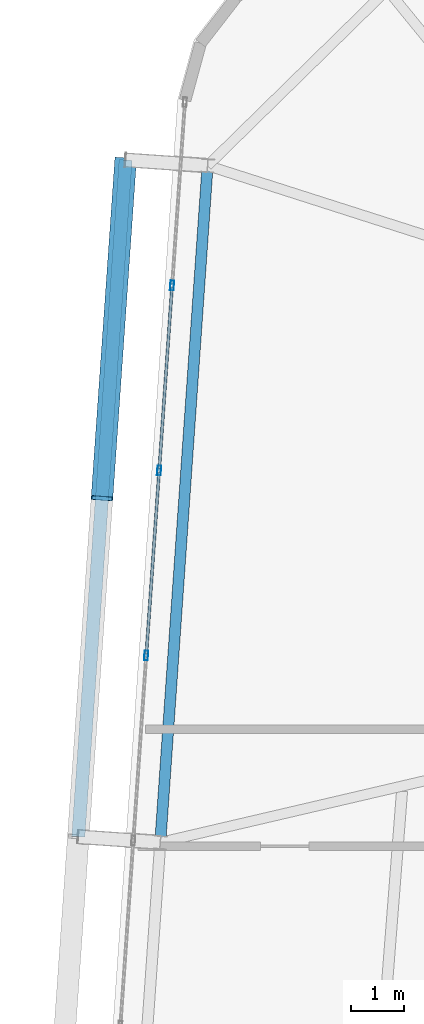
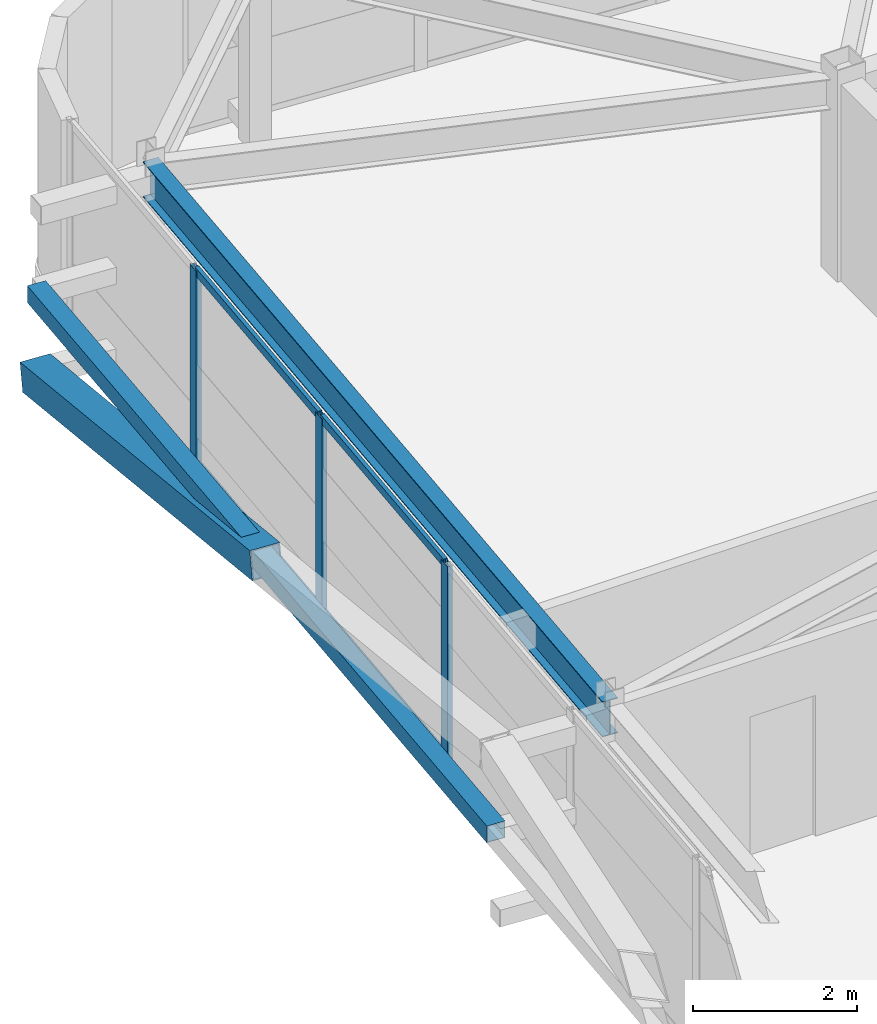
# One storey, part 16 of 47: 9 members, 1 beam, 1 element without a shape of its own.
"""IFC4 building model written with IfcOpenShell, lengths in metres."""

import ifcopenshell
import ifcopenshell.guid

model = None  # the IFC model being written
_history = None  # IfcOwnerHistory: only IFC2X3 demands one
_inside = {}  # id of a spatial element -> (the spatial element, [elements in it])
_under = {}  # id of a project, library or spatial element -> (it, [spatial elements below it])
_declared = {}  # id of a project -> (the project, [libraries it declares])
_typed = {}  # id of a type object -> (the type object, [elements of that type])
_made_of = {}  # id of a material, layer set ... -> (it, [elements and type objects made of it])


def new_model(schema):
    """Start an empty IFC model of exactly this schema.

    Asked for "IFC4X3", IfcOpenShell would pick the latest addendum, in which some entities
    have other attributes; the version numbers below select the first issue.
    IFC2X3 requires an IfcOwnerHistory on every rooted entity: one is made here for all.
    """
    global model, _history
    if schema == "IFC4X3":
        model = ifcopenshell.file(schema_version=(4, 3, 0, 0))
    else:
        model = ifcopenshell.file(schema=schema)
    _inside.clear()
    _under.clear()
    _declared.clear()
    _typed.clear()
    _made_of.clear()
    _history = None
    if model.schema == "IFC2X3":
        org = make("IfcOrganization", Name="unknown")
        user = make(
            "IfcPersonAndOrganization",
            ThePerson=make("IfcPerson", FamilyName="unknown"),
            TheOrganization=org,
        )
        app = make(
            "IfcApplication",
            ApplicationDeveloper=org,
            Version="unknown",
            ApplicationFullName="unknown",
            ApplicationIdentifier="unknown",
        )
        _history = make(
            "IfcOwnerHistory",
            OwningUser=user,
            OwningApplication=app,
            ChangeAction="ADDED",
            CreationDate=0,
        )
    return model


def make(cls, **values):
    """One entity of the class cls with the attributes given. An attribute that is None is left unset."""
    return model.create_entity(
        cls, **{name: value for name, value in values.items() if value is not None}
    )


def rooted(cls, **values):
    """An entity with a GlobalId (a new one), such as an element, a storey or a relation."""
    return make(cls, GlobalId=ifcopenshell.guid.new(), OwnerHistory=_history, **values)


def si_unit(unit_type, name, prefix=None):
    """IfcSIUnit, for example si_unit("LENGTHUNIT", "METRE", prefix="MILLI")."""
    return make("IfcSIUnit", UnitType=unit_type, Prefix=prefix, Name=name)


def assignment(units):
    """IfcUnitAssignment: the units of a project."""
    return None if units is None else make("IfcUnitAssignment", Units=units)


def point(xyz):
    """IfcCartesianPoint."""
    return None if xyz is None else make("IfcCartesianPoint", Coordinates=xyz)


def direction(xyz):
    """IfcDirection."""
    return None if xyz is None else make("IfcDirection", DirectionRatios=xyz)


def frame(location, z_axis=None, x_axis=None):
    """IfcAxis2Placement3D, a coordinate frame: its origin and axes. An axis left out is left unset."""
    return make(
        "IfcAxis2Placement3D",
        Location=point(location),
        Axis=direction(z_axis),
        RefDirection=direction(x_axis),
    )


def frame_2d(location, x_axis=None):
    """IfcAxis2Placement2D, a coordinate frame in the plane: its origin and x axis."""
    return make(
        "IfcAxis2Placement2D", Location=point(location), RefDirection=direction(x_axis)
    )


def origin():
    """The frame at (0, 0, 0) with its axes left unset."""
    return frame((0.0, 0.0, 0.0))


def origin_2d():
    """The frame at (0, 0) in the plane with its x axis left unset."""
    return frame_2d((0.0, 0.0))


def place(relative_to, where):
    """IfcLocalPlacement: puts the frame where relative to a parent placement (None: the world)."""
    return make(
        "IfcLocalPlacement", PlacementRelTo=relative_to, RelativePlacement=where
    )


def context(
    kind, dimensions, precision=None, world=None, true_north=None, identifier=None
):
    """IfcGeometricRepresentationContext, for example the 3D "Model" context."""
    return make(
        "IfcGeometricRepresentationContext",
        ContextIdentifier=identifier,
        ContextType=kind,
        CoordinateSpaceDimension=dimensions,
        Precision=precision,
        WorldCoordinateSystem=world,
        TrueNorth=true_north,
    )


def subcontext(parent, identifier, kind, view, scale=None):
    """IfcGeometricRepresentationSubContext, for example "Body" below "Model"."""
    return make(
        "IfcGeometricRepresentationSubContext",
        ContextIdentifier=identifier,
        ContextType=kind,
        ParentContext=parent,
        TargetScale=scale,
        TargetView=view,
    )


def project(units=None, contexts=None):
    """IfcProject with its units and contexts."""
    return rooted(
        "IfcProject",
        Name="project",
        RepresentationContexts=contexts,
        UnitsInContext=assignment(units),
    )


def spatial(cls, under=None, at=None, **own):
    """A site, building, storey or space (cls), placed at a placement, below another one or the project."""
    s = rooted(cls, ObjectPlacement=at, **own)
    if under is not None:
        _under.setdefault(under.id(), (under, []))[1].append(s)
    return s


def profile(cls, at=None, kind="AREA", **sizes):
    """A parametric profile (cls). Its sizes go by their IFC names, for example OverallWidth=200.0."""
    return make(cls, ProfileType=kind, Position=at, **sizes)


def hollow_rectangle(**sizes):
    """IfcRectangleHollowProfileDef."""
    return profile("IfcRectangleHollowProfileDef", **sizes)


def i_section(**sizes):
    """IfcIShapeProfileDef."""
    return profile("IfcIShapeProfileDef", **sizes)


def extrude(swept, where, along, depth):
    """IfcExtrudedAreaSolid: the profile swept, set in the frame where, extruded along a direction by depth."""
    return make(
        "IfcExtrudedAreaSolid",
        SweptArea=swept,
        Position=where,
        ExtrudedDirection=direction(along),
        Depth=depth,
    )


def shape(context_of_items, identifier, shape_type, items):
    """IfcShapeRepresentation: the items that make up one representation, for example the "Body"."""
    return make(
        "IfcShapeRepresentation",
        ContextOfItems=context_of_items,
        RepresentationIdentifier=identifier,
        RepresentationType=shape_type,
        Items=items,
    )


def source(mapping_origin, context_of_items, identifier, shape_type, items):
    """IfcRepresentationMap: a shape defined once, which mapped items show again and again."""
    return make(
        "IfcRepresentationMap",
        MappingOrigin=mapping_origin,
        MappedRepresentation=shape(context_of_items, identifier, shape_type, items),
    )


def transform(
    local_origin,
    x_axis=None,
    y_axis=None,
    z_axis=None,
    scale=None,
    scale2=None,
    scale3=None,
    uniform=True,
):
    """IfcCartesianTransformationOperator3D, or its non-uniform kind. x_axis, y_axis, z_axis: its Axis1, 2, 3."""
    if uniform:
        return make(
            "IfcCartesianTransformationOperator3D",
            Axis1=direction(x_axis),
            Axis2=direction(y_axis),
            LocalOrigin=point(local_origin),
            Scale=scale,
            Axis3=direction(z_axis),
        )
    return make(
        "IfcCartesianTransformationOperator3DnonUniform",
        Axis1=direction(x_axis),
        Axis2=direction(y_axis),
        LocalOrigin=point(local_origin),
        Scale=scale,
        Axis3=direction(z_axis),
        Scale2=scale2,
        Scale3=scale3,
    )


def mapped(mapping_source, mapping_target):
    """IfcMappedItem: shows the shape of a source again, moved by a transform."""
    return make(
        "IfcMappedItem", MappingSource=mapping_source, MappingTarget=mapping_target
    )


def material(Name=None, Category=None):
    """IfcMaterial."""
    return make("IfcMaterial", Name=Name, Category=Category)


def layer(
    of_material, thickness, ventilated=None, Name=None, Category=None, Priority=None
):
    """IfcMaterialLayer: one layer of a wall or slab, of a material (None: an air gap)."""
    return make(
        "IfcMaterialLayer",
        Material=of_material,
        LayerThickness=thickness,
        IsVentilated=ventilated,
        Name=Name,
        Category=Category,
        Priority=Priority,
    )


def layer_set(layers, Name=None):
    """IfcMaterialLayerSet."""
    return make("IfcMaterialLayerSet", MaterialLayers=layers, LayerSetName=Name)


def material_profile(
    of_material, cross_section, Name=None, Category=None, Priority=None
):
    """IfcMaterialProfile: a cross section and its material."""
    return make(
        "IfcMaterialProfile",
        Name=Name,
        Material=of_material,
        Profile=cross_section,
        Priority=Priority,
        Category=Category,
    )


def profile_set(profiles, Name=None, composite=None):
    """IfcMaterialProfileSet."""
    return make(
        "IfcMaterialProfileSet",
        Name=Name,
        MaterialProfiles=profiles,
        CompositeProfile=composite,
    )


def made_of(thing, what):
    """Note that an element or type object is made of a material, layer set ...; save() writes the relation."""
    if what is not None:
        _made_of.setdefault(what.id(), (what, []))[1].append(thing)
    return thing


def type_object(cls, material=None, **own):
    """A type object (cls), such as IfcWallType, which elements share."""
    return made_of(rooted(cls, **own), material)


def element(
    cls,
    number,
    at=None,
    inside=None,
    cuts=None,
    type_object=None,
    material=None,
    context=None,
    identifier="Body",
    shape_type=None,
    held_by="IfcProductDefinitionShape",
    body=None,
    shapes=None,
    **own,
):
    """One element of the class cls, such as IfcWall. Its Tag is "e" and its number.

    at: its placement. inside: the storey or other place that contains it. cuts: it is an
    opening in that element (IfcRelVoidsElement). A single representation is given by context,
    identifier, shape_type and body (its items); several are given by shapes. held_by: the class
    of the entity that holds the representations. save() writes the other relations.
    """
    e = rooted(cls, Tag="e%d" % number, ObjectPlacement=at, **own)
    if body is not None:
        shapes = [shape(context, identifier, shape_type, body)]
    if shapes is not None:
        e.Representation = make(held_by, Representations=shapes)
    if inside is not None:
        _inside.setdefault(inside.id(), (inside, []))[1].append(e)
    if cuts is not None:
        rooted(
            "IfcRelVoidsElement", RelatingBuildingElement=cuts, RelatedOpeningElement=e
        )
    if type_object is not None:
        _typed.setdefault(type_object.id(), (type_object, []))[1].append(e)
    return made_of(e, material)


def aggregate(whole, parts):
    """IfcRelAggregates: a whole, such as a stair, and the parts it consists of."""
    return rooted("IfcRelAggregates", RelatingObject=whole, RelatedObjects=parts)


def save(model, path):
    """Write the relations noted so far, then the file.

    IfcRelAggregates (storeys below a building ...), IfcRelContainedInSpatialStructure (elements
    in a storey), IfcRelDefinesByType, IfcRelAssociatesMaterial and IfcRelDeclares: one each for
    every whole, place, type object, material and project.
    """
    for whole, parts in _under.values():
        aggregate(whole, parts)
    for where, things in _inside.values():
        rooted(
            "IfcRelContainedInSpatialStructure",
            RelatedElements=things,
            RelatingStructure=where,
        )
    for kind, things in _typed.values():
        rooted("IfcRelDefinesByType", RelatedObjects=things, RelatingType=kind)
    for what, things in _made_of.values():
        rooted("IfcRelAssociatesMaterial", RelatedObjects=things, RelatingMaterial=what)
    for by, libraries in _declared.values():
        rooted("IfcRelDeclares", RelatingContext=by, RelatedDefinitions=libraries)
    model.write(path)


model = new_model("IFC4")

# Units and contexts
model_context = context("Model", 3, precision=1e-05, world=origin(), true_north=direction((0.0, 1.0)))
body_context = subcontext(model_context, "Body", "Model", "MODEL_VIEW")
ifc_project = project(units=[si_unit("LENGTHUNIT", "METRE"), si_unit("AREAUNIT", "SQUARE_METRE"), si_unit("VOLUMEUNIT", "CUBIC_METRE"), si_unit("PLANEANGLEUNIT", "RADIAN"), si_unit("MASSUNIT", "GRAM", prefix="KILO")], contexts=[model_context])

# Site, building, storey
site_placement = place(None, origin())
site = spatial("IfcSite", under=ifc_project, at=site_placement, CompositionType="ELEMENT")
building_placement = place(site_placement, origin())
building = spatial("IfcBuilding", under=site, at=building_placement, Name="Taldren Reach Tower", CompositionType="ELEMENT")
storey_placement = place(building_placement, frame((0.0, 0.0, 139.300048828125)))
storey = spatial("IfcBuildingStorey", under=building, at=storey_placement, Name="L42", CompositionType="ELEMENT", Elevation=139.300048828125)

# Beam
ifc_material_1 = material(Name="Steel Gr 350 (350PLUS)", Category="steel")
ifc_material_profile_1 = material_profile(ifc_material_1, i_section(OverallWidth=0.208984375, OverallDepth=0.528076171875, WebThickness=0.009521484375, FlangeThickness=0.01318359375, at=origin_2d()), Name="530UB82.0")
ifc_profile_set_1 = profile_set([ifc_material_profile_1], Name="Steel Gr 350 (350PLUS)")
beam_type = type_object("IfcBeamType", Name="SP-UB530B", PredefinedType="SPANDREL", material=ifc_profile_set_1)
shared_shape_1 = source(origin(), body_context, "Body", "SweptSolid", [
    extrude(i_section(OverallWidth=0.208984375, OverallDepth=0.528076171875, WebThickness=0.009521484375, FlangeThickness=0.01318359375, at=origin_2d()), origin(), (0.0, 0.0, 1.0), 12.800048828125),
])
beam_placement = place(storey_placement, frame((10.754638671875, 34.63720703125, 2.666015625), z_axis=(-0.069751876777, -0.9975643717, 0.0), x_axis=(0.9975643717, -0.069751876777, 0.0)))
element("IfcBeam", 1, at=beam_placement, inside=storey, type_object=beam_type, Name="Perimeter spandrel B3 W3-W2 L42", PredefinedType="SPANDREL", context=body_context, shape_type="MappedRepresentation", body=[
    mapped(shared_shape_1, transform((0.0, 0.0, 0.0), scale=1.0)),
])

# Members
ifc_material_2 = material(Name="Steel Gr 350 (C350L0)", Category="steel")
ifc_material_profile_2 = material_profile(ifc_material_2, hollow_rectangle(XDim=0.25, YDim=0.25, WallThickness=0.010009765625, at=origin_2d()), Name="250x250x10.0SHS")
ifc_profile_set_2 = profile_set([ifc_material_profile_2], Name="Steel Gr 350 (C350L0)")
member_type_1 = type_object("IfcMemberType", Name="MB-POST250", PredefinedType="POST", material=ifc_profile_set_2)
shared_shape_2 = source(origin(), body_context, "Body", "SweptSolid", [
    extrude(hollow_rectangle(XDim=0.25, YDim=0.25, WallThickness=0.010009765625, at=origin_2d()), origin(), (0.0, 0.0, 1.0), 12.800048828125),
])
member_1_placement = place(storey_placement, frame((8.3154296875, 21.9765625, 1.43505859375), z_axis=(0.069770857464, 0.997563044348, 0.0), x_axis=(-0.997563044348, 0.069770857464, 0.0)))
element("IfcMember", 2, at=member_1_placement, inside=storey, type_object=member_type_1, Name="Exoskeleton mid-height ring chord B3-W2 L42", PredefinedType="POST", context=body_context, shape_type="MappedRepresentation", body=[
    mapped(shared_shape_2, transform((0.0, 0.0, 0.0), scale=1.0)),
])
ifc_material_3 = material(Name="Steel Gr 450 (C450L0)", Category="steel")
ifc_material_profile_3 = material_profile(ifc_material_3, hollow_rectangle(XDim=0.409912109375, YDim=0.409912109375, WallThickness=0.01611328125, at=origin_2d()), Name="410x410x16.0SHS")
ifc_profile_set_3 = profile_set([ifc_material_profile_3], Name="Steel Gr 450 (C450L0)")
member_type_2 = type_object("IfcMemberType", Name="MB-EXO406", PredefinedType="BRACE", material=ifc_profile_set_3)
shared_shape_3 = source(origin(), body_context, "Body", "SweptSolid", [
    extrude(hollow_rectangle(XDim=0.409912109375, YDim=0.409912109375, WallThickness=0.01611328125, at=origin_2d()), origin(), (0.0, 0.0, 1.0), 6.514404296875),
])
member_2_placement = place(storey_placement, frame((9.20849609375, 34.745361328125, 0.219970703125), z_axis=(-0.068545126831, -0.980056649402, 0.186522195865), x_axis=(0.997563137195, -0.069769529958, 0.0)))
element("IfcMember", 3, at=member_2_placement, inside=storey, type_object=member_type_2, Name="Exoskeleton Diagrid Brace B3-W2 L42", PredefinedType="BRACE", context=body_context, shape_type="MappedRepresentation", body=[
    mapped(shared_shape_3, transform((0.0, 0.0, 0.0), scale=1.0)),
])

# Curtain wall, members
ifc_material_4 = material(Name="Aluminium and Low-E Glass Unitised System", Category="aluminium")
ifc_layer = layer(ifc_material_4, 0.159912109375)
ifc_layer_set = layer_set([ifc_layer], Name="Aluminium and Low-E Glass Unitised System")
curtain_wall_type = type_object("IfcCurtainWallType", Name="CW-SYS-4", PredefinedType="NOTDEFINED", material=ifc_layer_set)
curtain_wall_placement = place(storey_placement, origin())
curtain_wall = element("IfcCurtainWall", 4, at=curtain_wall_placement, inside=storey, type_object=curtain_wall_type, Name="Unitised curtain wall CW-L42-W", PredefinedType="NOTDEFINED")
ifc_material_5 = material(Name="Anodised Aluminium 6063-T6", Category="aluminium")
ifc_material_profile_4 = material_profile(ifc_material_5, hollow_rectangle(XDim=0.070068359375, YDim=0.179931640625, WallThickness=0.00390625, at=origin_2d()), Name="ALU-180x70x4RHS")
ifc_profile_set_4 = profile_set([ifc_material_profile_4], Name="Anodised Aluminium 6063-T6")
member_type_3 = type_object("IfcMemberType", Name="CW-MUL-180", PredefinedType="MULLION", material=ifc_profile_set_4)
shared_shape_4 = source(origin(), body_context, "Body", "SweptSolid", [
    extrude(hollow_rectangle(XDim=0.070068359375, YDim=0.179931640625, WallThickness=0.00390625, at=origin_2d()), origin(), (0.0, 0.0, 1.0), 2.929931640625),
])
member_3_placement = place(storey_placement, frame((10.08544921875, 32.37841796875, 0.0), z_axis=(0.0, 0.0, 1.0), x_axis=(0.997564052812, -0.069756437251, 0.0)))
member_3 = element("IfcMember", 5, at=member_3_placement, type_object=member_type_3, Name="CW-4 mullion 2", PredefinedType="MULLION", context=body_context, shape_type="MappedRepresentation", body=[
    mapped(shared_shape_4, transform((0.0, 0.0, 0.0), scale=1.0)),
])
member_4_placement = place(storey_placement, frame((9.84130859375, 28.886962890625, 0.0), z_axis=(0.0, 0.0, 1.0), x_axis=(0.997564052812, -0.069756437251, 0.0)))
member_4 = element("IfcMember", 6, at=member_4_placement, type_object=member_type_3, Name="CW-4 mullion 3", PredefinedType="MULLION", context=body_context, shape_type="MappedRepresentation", body=[
    mapped(shared_shape_4, transform((0.0, 0.0, 0.0), scale=1.0)),
])
member_5_placement = place(storey_placement, frame((9.59716796875, 25.395263671875, 0.0), z_axis=(0.0, 0.0, 1.0), x_axis=(0.997564052812, -0.069756437251, 0.0)))
member_5 = element("IfcMember", 7, at=member_5_placement, type_object=member_type_3, Name="CW-4 mullion 4", PredefinedType="MULLION", context=body_context, shape_type="MappedRepresentation", body=[
    mapped(shared_shape_4, transform((0.0, 0.0, 0.0), scale=1.0)),
])
ifc_material_profile_5 = material_profile(ifc_material_5, hollow_rectangle(XDim=0.054931640625, YDim=0.1201171875, WallThickness=0.0029296875, at=origin_2d()), Name="ALU-120x55x3RHS")
ifc_profile_set_5 = profile_set([ifc_material_profile_5], Name="Anodised Aluminium 6063-T6")
member_type_4 = type_object("IfcMemberType", Name="CW-TRN-135", PredefinedType="USERDEFINED", material=ifc_profile_set_5)
shared_shape_5 = source(origin(), body_context, "Body", "SweptSolid", [
    extrude(hollow_rectangle(XDim=0.054931640625, YDim=0.1201171875, WallThickness=0.0029296875, at=origin_2d()), origin(), (0.0, 0.0, 1.0), 3.429931640625),
])
member_6_placement = place(storey_placement, frame((10.0830078125, 32.343505859375, 0.02734375), z_axis=(-0.069754754695, -0.997564170466, 0.0), x_axis=(0.997564170466, -0.069754754695, 0.0)))
member_6 = element("IfcMember", 8, at=member_6_placement, type_object=member_type_4, Name="CW-4 transom 2.1", ObjectType="TRANSOM", PredefinedType="USERDEFINED", context=body_context, shape_type="MappedRepresentation", body=[
    mapped(shared_shape_5, transform((0.0, 0.0, 0.0), scale=1.0)),
])
member_7_placement = place(storey_placement, frame((10.0830078125, 32.343505859375, 2.90234375), z_axis=(-0.069754754695, -0.997564170466, 0.0), x_axis=(0.997564170466, -0.069754754695, 0.0)))
member_7 = element("IfcMember", 9, at=member_7_placement, type_object=member_type_4, Name="CW-4 transom 2.2", ObjectType="TRANSOM", PredefinedType="USERDEFINED", context=body_context, shape_type="MappedRepresentation", body=[
    mapped(shared_shape_5, transform((0.0, 0.0, 0.0), scale=1.0)),
])
shared_shape_6 = source(origin(), body_context, "Body", "SweptSolid", [
    extrude(hollow_rectangle(XDim=0.054931640625, YDim=0.1201171875, WallThickness=0.0029296875, at=origin_2d()), origin(), (0.0, 0.0, 1.0), 3.43017578125),
])
member_8_placement = place(storey_placement, frame((9.8388671875, 28.85205078125, 0.02734375), z_axis=(-0.069749802114, -0.997564516763, 0.0), x_axis=(0.997564516763, -0.069749802114, 0.0)))
member_8 = element("IfcMember", 10, at=member_8_placement, type_object=member_type_4, Name="CW-4 transom 3.1", ObjectType="TRANSOM", PredefinedType="USERDEFINED", context=body_context, shape_type="MappedRepresentation", body=[
    mapped(shared_shape_6, transform((0.0, 0.0, 0.0), scale=1.0)),
])
member_9_placement = place(storey_placement, frame((9.8388671875, 28.85205078125, 2.90234375), z_axis=(-0.069749802114, -0.997564516763, 0.0), x_axis=(0.997564516763, -0.069749802114, 0.0)))
member_9 = element("IfcMember", 11, at=member_9_placement, type_object=member_type_4, Name="CW-4 transom 3.2", ObjectType="TRANSOM", PredefinedType="USERDEFINED", context=body_context, shape_type="MappedRepresentation", body=[
    mapped(shared_shape_6, transform((0.0, 0.0, 0.0), scale=1.0)),
])
aggregate(curtain_wall, [member_3, member_4, member_5, member_6, member_7, member_8, member_9])

save(model, "model.ifc")
